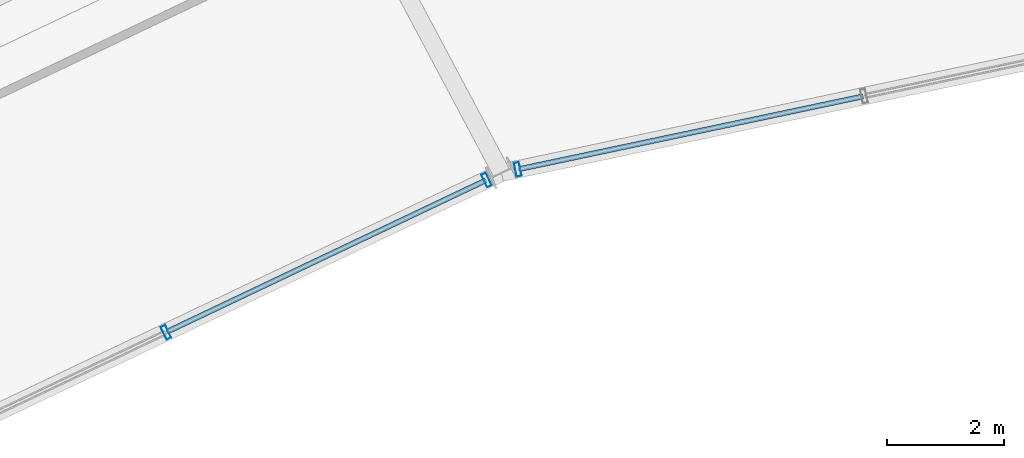
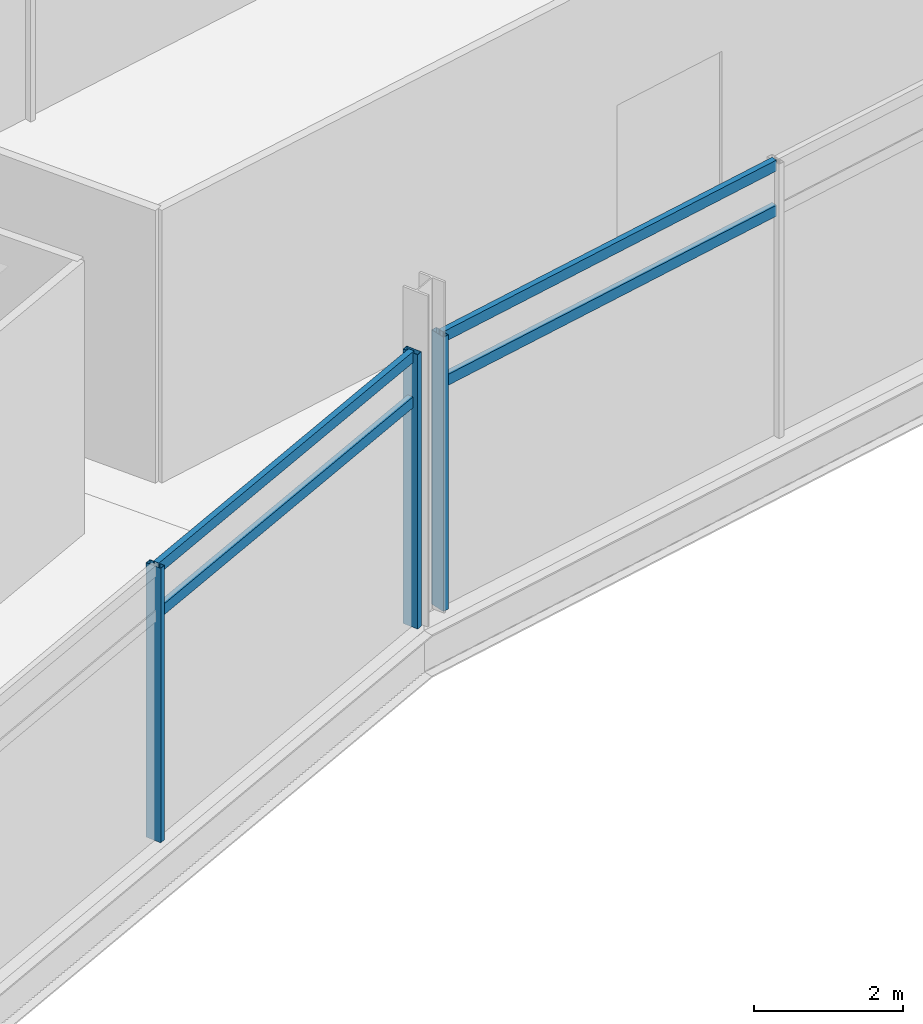
# One storey, part 53 of 86: 7 members, 2 elements without a shape of their own.
"""IFC4 building model written with IfcOpenShell, lengths in metres."""

import ifcopenshell
import ifcopenshell.guid

model = None  # the IFC model being written
_history = None  # IfcOwnerHistory: only IFC2X3 demands one
_inside = {}  # id of a spatial element -> (the spatial element, [elements in it])
_under = {}  # id of a project, library or spatial element -> (it, [spatial elements below it])
_declared = {}  # id of a project -> (the project, [libraries it declares])
_typed = {}  # id of a type object -> (the type object, [elements of that type])
_made_of = {}  # id of a material, layer set ... -> (it, [elements and type objects made of it])


def new_model(schema):
    """Start an empty IFC model of exactly this schema.

    Asked for "IFC4X3", IfcOpenShell would pick the latest addendum, in which some entities
    have other attributes; the version numbers below select the first issue.
    IFC2X3 requires an IfcOwnerHistory on every rooted entity: one is made here for all.
    """
    global model, _history
    if schema == "IFC4X3":
        model = ifcopenshell.file(schema_version=(4, 3, 0, 0))
    else:
        model = ifcopenshell.file(schema=schema)
    _inside.clear()
    _under.clear()
    _declared.clear()
    _typed.clear()
    _made_of.clear()
    _history = None
    if model.schema == "IFC2X3":
        org = make("IfcOrganization", Name="unknown")
        user = make(
            "IfcPersonAndOrganization",
            ThePerson=make("IfcPerson", FamilyName="unknown"),
            TheOrganization=org,
        )
        app = make(
            "IfcApplication",
            ApplicationDeveloper=org,
            Version="unknown",
            ApplicationFullName="unknown",
            ApplicationIdentifier="unknown",
        )
        _history = make(
            "IfcOwnerHistory",
            OwningUser=user,
            OwningApplication=app,
            ChangeAction="ADDED",
            CreationDate=0,
        )
    return model


def make(cls, **values):
    """One entity of the class cls with the attributes given. An attribute that is None is left unset."""
    return model.create_entity(
        cls, **{name: value for name, value in values.items() if value is not None}
    )


def rooted(cls, **values):
    """An entity with a GlobalId (a new one), such as an element, a storey or a relation."""
    return make(cls, GlobalId=ifcopenshell.guid.new(), OwnerHistory=_history, **values)


def si_unit(unit_type, name, prefix=None):
    """IfcSIUnit, for example si_unit("LENGTHUNIT", "METRE", prefix="MILLI")."""
    return make("IfcSIUnit", UnitType=unit_type, Prefix=prefix, Name=name)


def assignment(units):
    """IfcUnitAssignment: the units of a project."""
    return None if units is None else make("IfcUnitAssignment", Units=units)


def point(xyz):
    """IfcCartesianPoint."""
    return None if xyz is None else make("IfcCartesianPoint", Coordinates=xyz)


def direction(xyz):
    """IfcDirection."""
    return None if xyz is None else make("IfcDirection", DirectionRatios=xyz)


def frame(location, z_axis=None, x_axis=None):
    """IfcAxis2Placement3D, a coordinate frame: its origin and axes. An axis left out is left unset."""
    return make(
        "IfcAxis2Placement3D",
        Location=point(location),
        Axis=direction(z_axis),
        RefDirection=direction(x_axis),
    )


def frame_2d(location, x_axis=None):
    """IfcAxis2Placement2D, a coordinate frame in the plane: its origin and x axis."""
    return make(
        "IfcAxis2Placement2D", Location=point(location), RefDirection=direction(x_axis)
    )


def origin():
    """The frame at (0, 0, 0) with its axes left unset."""
    return frame((0.0, 0.0, 0.0))


def origin_2d():
    """The frame at (0, 0) in the plane with its x axis left unset."""
    return frame_2d((0.0, 0.0))


def place(relative_to, where):
    """IfcLocalPlacement: puts the frame where relative to a parent placement (None: the world)."""
    return make(
        "IfcLocalPlacement", PlacementRelTo=relative_to, RelativePlacement=where
    )


def context(
    kind, dimensions, precision=None, world=None, true_north=None, identifier=None
):
    """IfcGeometricRepresentationContext, for example the 3D "Model" context."""
    return make(
        "IfcGeometricRepresentationContext",
        ContextIdentifier=identifier,
        ContextType=kind,
        CoordinateSpaceDimension=dimensions,
        Precision=precision,
        WorldCoordinateSystem=world,
        TrueNorth=true_north,
    )


def subcontext(parent, identifier, kind, view, scale=None):
    """IfcGeometricRepresentationSubContext, for example "Body" below "Model"."""
    return make(
        "IfcGeometricRepresentationSubContext",
        ContextIdentifier=identifier,
        ContextType=kind,
        ParentContext=parent,
        TargetScale=scale,
        TargetView=view,
    )


def project(units=None, contexts=None):
    """IfcProject with its units and contexts."""
    return rooted(
        "IfcProject",
        Name="project",
        RepresentationContexts=contexts,
        UnitsInContext=assignment(units),
    )


def spatial(cls, under=None, at=None, **own):
    """A site, building, storey or space (cls), placed at a placement, below another one or the project."""
    s = rooted(cls, ObjectPlacement=at, **own)
    if under is not None:
        _under.setdefault(under.id(), (under, []))[1].append(s)
    return s


def profile(cls, at=None, kind="AREA", **sizes):
    """A parametric profile (cls). Its sizes go by their IFC names, for example OverallWidth=200.0."""
    return make(cls, ProfileType=kind, Position=at, **sizes)


def hollow_rectangle(**sizes):
    """IfcRectangleHollowProfileDef."""
    return profile("IfcRectangleHollowProfileDef", **sizes)


def extrude(swept, where, along, depth):
    """IfcExtrudedAreaSolid: the profile swept, set in the frame where, extruded along a direction by depth."""
    return make(
        "IfcExtrudedAreaSolid",
        SweptArea=swept,
        Position=where,
        ExtrudedDirection=direction(along),
        Depth=depth,
    )


def shape(context_of_items, identifier, shape_type, items):
    """IfcShapeRepresentation: the items that make up one representation, for example the "Body"."""
    return make(
        "IfcShapeRepresentation",
        ContextOfItems=context_of_items,
        RepresentationIdentifier=identifier,
        RepresentationType=shape_type,
        Items=items,
    )


def material(Name=None, Category=None):
    """IfcMaterial."""
    return make("IfcMaterial", Name=Name, Category=Category)


def layer(
    of_material, thickness, ventilated=None, Name=None, Category=None, Priority=None
):
    """IfcMaterialLayer: one layer of a wall or slab, of a material (None: an air gap)."""
    return make(
        "IfcMaterialLayer",
        Material=of_material,
        LayerThickness=thickness,
        IsVentilated=ventilated,
        Name=Name,
        Category=Category,
        Priority=Priority,
    )


def layer_set(layers, Name=None):
    """IfcMaterialLayerSet."""
    return make("IfcMaterialLayerSet", MaterialLayers=layers, LayerSetName=Name)


def material_profile(
    of_material, cross_section, Name=None, Category=None, Priority=None
):
    """IfcMaterialProfile: a cross section and its material."""
    return make(
        "IfcMaterialProfile",
        Name=Name,
        Material=of_material,
        Profile=cross_section,
        Priority=Priority,
        Category=Category,
    )


def profile_set(profiles, Name=None, composite=None):
    """IfcMaterialProfileSet."""
    return make(
        "IfcMaterialProfileSet",
        Name=Name,
        MaterialProfiles=profiles,
        CompositeProfile=composite,
    )


def made_of(thing, what):
    """Note that an element or type object is made of a material, layer set ...; save() writes the relation."""
    if what is not None:
        _made_of.setdefault(what.id(), (what, []))[1].append(thing)
    return thing


def type_object(cls, material=None, **own):
    """A type object (cls), such as IfcWallType, which elements share."""
    return made_of(rooted(cls, **own), material)


def element(
    cls,
    number,
    at=None,
    inside=None,
    cuts=None,
    type_object=None,
    material=None,
    context=None,
    identifier="Body",
    shape_type=None,
    held_by="IfcProductDefinitionShape",
    body=None,
    shapes=None,
    **own,
):
    """One element of the class cls, such as IfcWall. Its Tag is "e" and its number.

    at: its placement. inside: the storey or other place that contains it. cuts: it is an
    opening in that element (IfcRelVoidsElement). A single representation is given by context,
    identifier, shape_type and body (its items); several are given by shapes. held_by: the class
    of the entity that holds the representations. save() writes the other relations.
    """
    e = rooted(cls, Tag="e%d" % number, ObjectPlacement=at, **own)
    if body is not None:
        shapes = [shape(context, identifier, shape_type, body)]
    if shapes is not None:
        e.Representation = make(held_by, Representations=shapes)
    if inside is not None:
        _inside.setdefault(inside.id(), (inside, []))[1].append(e)
    if cuts is not None:
        rooted(
            "IfcRelVoidsElement", RelatingBuildingElement=cuts, RelatedOpeningElement=e
        )
    if type_object is not None:
        _typed.setdefault(type_object.id(), (type_object, []))[1].append(e)
    return made_of(e, material)


def aggregate(whole, parts):
    """IfcRelAggregates: a whole, such as a stair, and the parts it consists of."""
    return rooted("IfcRelAggregates", RelatingObject=whole, RelatedObjects=parts)


def save(model, path):
    """Write the relations noted so far, then the file.

    IfcRelAggregates (storeys below a building ...), IfcRelContainedInSpatialStructure (elements
    in a storey), IfcRelDefinesByType, IfcRelAssociatesMaterial and IfcRelDeclares: one each for
    every whole, place, type object, material and project.
    """
    for whole, parts in _under.values():
        aggregate(whole, parts)
    for where, things in _inside.values():
        rooted(
            "IfcRelContainedInSpatialStructure",
            RelatedElements=things,
            RelatingStructure=where,
        )
    for kind, things in _typed.values():
        rooted("IfcRelDefinesByType", RelatedObjects=things, RelatingType=kind)
    for what, things in _made_of.values():
        rooted("IfcRelAssociatesMaterial", RelatedObjects=things, RelatingMaterial=what)
    for by, libraries in _declared.values():
        rooted("IfcRelDeclares", RelatingContext=by, RelatedDefinitions=libraries)
    model.write(path)


model = new_model("IFC4")

# Units and contexts
model_context = context("Model", 3, precision=1e-05, world=origin(), true_north=direction((0.0, 1.0)))
body_context = subcontext(model_context, "Body", "Model", "MODEL_VIEW")
ifc_project = project(units=[si_unit("LENGTHUNIT", "METRE"), si_unit("AREAUNIT", "SQUARE_METRE"), si_unit("VOLUMEUNIT", "CUBIC_METRE"), si_unit("PLANEANGLEUNIT", "RADIAN"), si_unit("MASSUNIT", "GRAM", prefix="KILO")], contexts=[model_context])

# Site, building, storey
site_placement = place(None, origin())
site = spatial("IfcSite", under=ifc_project, at=site_placement, CompositionType="ELEMENT")
building_placement = place(site_placement, origin())
building = spatial("IfcBuilding", under=site, at=building_placement, Name="Kazemori Nagisa Stadium", CompositionType="ELEMENT")
storey_placement = place(building_placement, frame((0.0, 0.0, 31.280029296875)))
storey = spatial("IfcBuildingStorey", under=building, at=storey_placement, Name="L06", CompositionType="ELEMENT", Elevation=31.280029296875)

# Curtain wall, member
ifc_material_1 = material(Name="Anodised aluminium 6063-T5", Category="aluminium")
ifc_layer_1 = layer(ifc_material_1, 0.239990234375, Name="Anodised aluminium 6063-T5", Category="aluminium")
ifc_layer_set_1 = layer_set([ifc_layer_1], Name="Anodised aluminium 6063-T5")
curtain_wall_type_1 = type_object("IfcCurtainWallType", Name="CW_L06G_91", PredefinedType="USERDEFINED", material=ifc_layer_set_1)
curtain_wall_1_placement = place(storey_placement, origin())
curtain_wall_1 = element("IfcCurtainWall", 1, at=curtain_wall_1_placement, inside=storey, type_object=curtain_wall_type_1, Name="Unitised curtain wall CW-L06G-91 L06", ObjectType="UNITISED CURTAIN WALL", PredefinedType="USERDEFINED")
ifc_material_2 = material(Name="Aluminium 6063-T5 anodised", Category="aluminium")
ifc_material_profile_1 = material_profile(ifc_material_2, hollow_rectangle(XDim=0.090087890625, YDim=0.239990234375, WallThickness=0.0048828125, at=origin_2d()), Name="ALU-MULL-90x240x5")
ifc_profile_set_1 = profile_set([ifc_material_profile_1], Name="Aluminium 6063-T5 anodised")
member_type_1 = type_object("IfcMemberType", Name="Mullion_M03", PredefinedType="MULLION", material=ifc_profile_set_1)
member_1_placement = place(storey_placement, frame((86.466796875, 171.25830078125, 0.0), z_axis=(0.0, 0.0, 1.0), x_axis=(-0.978344955407, -0.206981033502, 0.0)))
member_1 = element("IfcMember", 2, at=member_1_placement, type_object=member_type_1, Name="Curtain wall mullion CW-L06G-91-M4", PredefinedType="MULLION", context=body_context, shape_type="SweptSolid", body=[
    extrude(hollow_rectangle(XDim=0.090087890625, YDim=0.239990234375, WallThickness=0.0048828125, at=origin_2d()), origin(), (0.0, 0.0, 1.0), 4.510009765625),
])

# Curtain wall, members
ifc_layer_2 = layer(ifc_material_1, 0.239990234375, Name="Anodised aluminium 6063-T5", Category="aluminium")
ifc_layer_set_2 = layer_set([ifc_layer_2], Name="Anodised aluminium 6063-T5")
curtain_wall_type_2 = type_object("IfcCurtainWallType", Name="CW_L06G_92", PredefinedType="USERDEFINED", material=ifc_layer_set_2)
curtain_wall_2_placement = place(storey_placement, origin())
curtain_wall_2 = element("IfcCurtainWall", 3, at=curtain_wall_2_placement, inside=storey, type_object=curtain_wall_type_2, Name="Unitised curtain wall CW-L06G-92 L06", ObjectType="UNITISED CURTAIN WALL", PredefinedType="USERDEFINED")
member_2_placement = place(storey_placement, frame((85.930419921875, 171.076904296875, 0.0), z_axis=(0.0, 0.0, 1.0), x_axis=(-0.903215892654, -0.429186499388, 0.0)))
member_2 = element("IfcMember", 4, at=member_2_placement, type_object=member_type_1, Name="Curtain wall mullion CW-L06G-92-M1", PredefinedType="MULLION", context=body_context, shape_type="SweptSolid", body=[
    extrude(hollow_rectangle(XDim=0.090087890625, YDim=0.239990234375, WallThickness=0.0048828125, at=origin_2d()), origin(), (0.0, 0.0, 1.0), 4.510009765625),
])
member_3_placement = place(storey_placement, frame((80.427978515625, 168.46240234375, 0.0), z_axis=(0.0, 0.0, 1.0), x_axis=(-0.903215892654, -0.429186499388, 0.0)))
member_3 = element("IfcMember", 5, at=member_3_placement, type_object=member_type_1, Name="Curtain wall mullion CW-L06G-92-M2", PredefinedType="MULLION", context=body_context, shape_type="SweptSolid", body=[
    extrude(hollow_rectangle(XDim=0.090087890625, YDim=0.239990234375, WallThickness=0.0048828125, at=origin_2d()), origin(), (0.0, 0.0, 1.0), 4.510009765625),
])

# Member
ifc_material_profile_2 = material_profile(ifc_material_2, hollow_rectangle(XDim=0.090087890625, YDim=0.179931640625, WallThickness=0.0048828125, at=origin_2d()), Name="ALU-TRAN-90x180x5")
ifc_profile_set_2 = profile_set([ifc_material_profile_2], Name="Aluminium 6063-T5 anodised")
member_type_2 = type_object("IfcMemberType", Name="Transom_T03", PredefinedType="USERDEFINED", material=ifc_profile_set_2)
member_4_placement = place(storey_placement, frame((92.389404296875, 172.51123046875, 3.6982421875), z_axis=(-0.978347969991, -0.206966783842, 0.0), x_axis=(0.206966783842, -0.978347969991, 0.0)))
member_4 = element("IfcMember", 6, at=member_4_placement, type_object=member_type_2, Name="Curtain wall transom CW-L06G-91-T3-mid", ObjectType="TRANSOM", PredefinedType="USERDEFINED", context=body_context, shape_type="SweptSolid", body=[
    extrude(hollow_rectangle(XDim=0.090087890625, YDim=0.179931640625, WallThickness=0.0048828125, at=origin_2d()), origin(), (0.0, 0.0, 1.0), 6.03369140625),
])

member_5_placement = place(storey_placement, frame((92.389404296875, 172.51123046875, 4.43994140625), z_axis=(-0.978347969991, -0.206966783842, 0.0), x_axis=(0.206966783842, -0.978347969991, 0.0)))
member_5 = element("IfcMember", 7, at=member_5_placement, type_object=member_type_2, Name="Curtain wall transom CW-L06G-91-T3-head", ObjectType="TRANSOM", PredefinedType="USERDEFINED", context=body_context, shape_type="SweptSolid", body=[
    extrude(hollow_rectangle(XDim=0.090087890625, YDim=0.179931640625, WallThickness=0.0048828125, at=origin_2d()), origin(), (0.0, 0.0, 1.0), 6.03369140625),
])

aggregate(curtain_wall_1, [member_1, member_4, member_5])

member_6_placement = place(storey_placement, frame((85.912353515625, 171.068359375, 3.6982421875), z_axis=(-0.903218867774, -0.429180238242, 0.0), x_axis=(0.429180238242, -0.903218867774, 0.0)))
member_6 = element("IfcMember", 8, at=member_6_placement, type_object=member_type_2, Name="Curtain wall transom CW-L06G-92-T1-mid", ObjectType="TRANSOM", PredefinedType="USERDEFINED", context=body_context, shape_type="SweptSolid", body=[
    extrude(hollow_rectangle(XDim=0.090087890625, YDim=0.179931640625, WallThickness=0.0048828125, at=origin_2d()), origin(), (0.0, 0.0, 1.0), 6.052001953125),
])

member_7_placement = place(storey_placement, frame((85.912353515625, 171.068359375, 4.43994140625), z_axis=(-0.903218867774, -0.429180238242, 0.0), x_axis=(0.429180238242, -0.903218867774, 0.0)))
member_7 = element("IfcMember", 9, at=member_7_placement, type_object=member_type_2, Name="Curtain wall transom CW-L06G-92-T1-head", ObjectType="TRANSOM", PredefinedType="USERDEFINED", context=body_context, shape_type="SweptSolid", body=[
    extrude(hollow_rectangle(XDim=0.090087890625, YDim=0.179931640625, WallThickness=0.0048828125, at=origin_2d()), origin(), (0.0, 0.0, 1.0), 6.052001953125),
])

aggregate(curtain_wall_2, [member_2, member_3, member_6, member_7])

save(model, "model.ifc")
